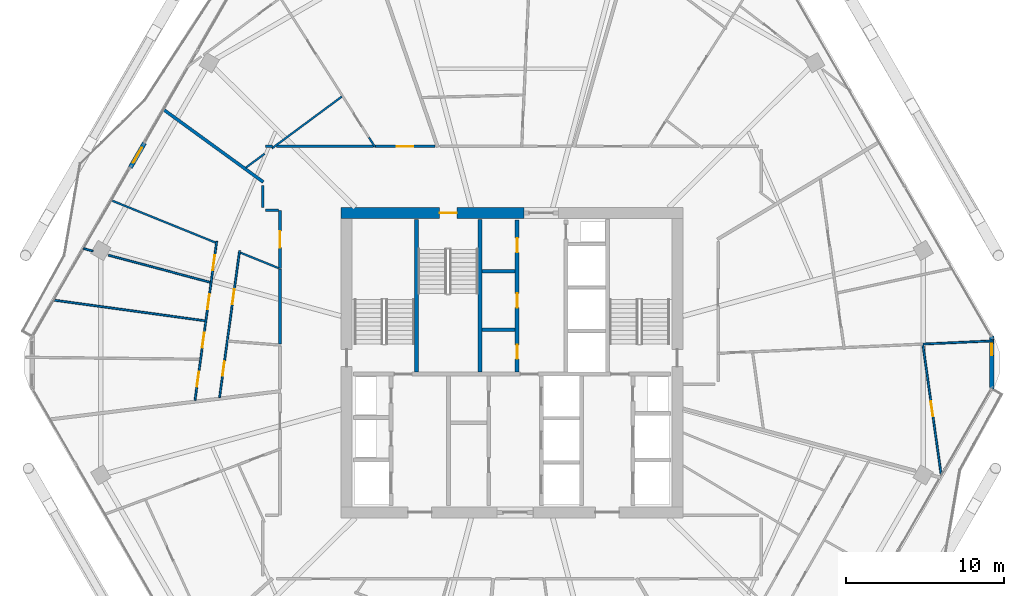
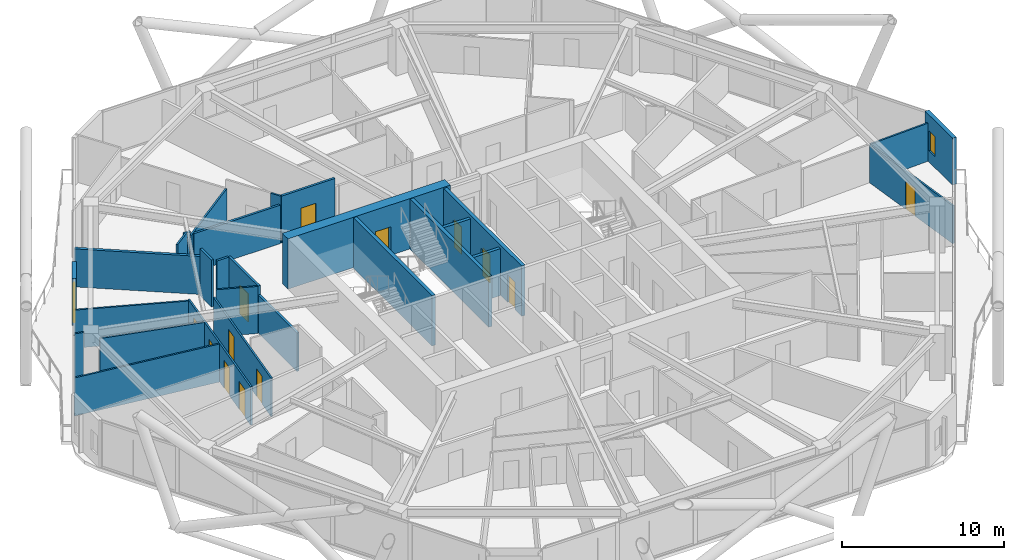
# One storey, part 23 of 28: 28 walls, 14 doors, 1 window, 15 openings.
"""IFC4 building model written with IfcOpenShell, lengths in metres."""

from ifc_helpers import new_model, si_unit, direction, frame, frame_2d, origin, place, context, subcontext, project, spatial, rectangle, extrude, material, layer, layer_set, type_object, element, fill, save


model = new_model("IFC4")

# Units and contexts
model_context = context("Model", 3, precision=1e-05, world=origin(), true_north=direction((0.0, 1.0)))
body_context = subcontext(model_context, "Body", "Model", "MODEL_VIEW")
ifc_project = project(units=[si_unit("LENGTHUNIT", "METRE"), si_unit("AREAUNIT", "SQUARE_METRE"), si_unit("VOLUMEUNIT", "CUBIC_METRE"), si_unit("PLANEANGLEUNIT", "RADIAN"), si_unit("MASSUNIT", "GRAM", prefix="KILO")], contexts=[model_context])

# Site, building, storey
site_placement = place(None, origin())
site = spatial("IfcSite", under=ifc_project, at=site_placement, CompositionType="ELEMENT")
building_placement = place(site_placement, origin())
building = spatial("IfcBuilding", under=site, at=building_placement, Name="Zuhravey Tower", CompositionType="ELEMENT")
storey_placement = place(building_placement, frame((0.0, 0.0, 199.800048828125)))
storey = spatial("IfcBuildingStorey", under=building, at=storey_placement, Name="L50", CompositionType="ELEMENT", Elevation=199.800048828125)

# Wall, opening, door
ifc_material_1 = material(Name="Concrete C60/75", Category="concrete")
ifc_layer_1 = layer(ifc_material_1, 0.699951171875)
ifc_layer_set_1 = layer_set([ifc_layer_1], Name="Concrete C60/75")
wall_type_1 = type_object("IfcWallType", Name="Core Shear Wall 700", PredefinedType="SHEAR", material=ifc_layer_set_1)
wall_1_placement = place(storey_placement, frame((36.75, 41.5, 0.0), z_axis=(0.0, 0.0, 1.0), x_axis=(-1.0, 0.0, 0.0)))
wall_1 = element("IfcWall", 1, at=wall_1_placement, inside=storey, type_object=wall_type_1, Name="L50 North-West Core Shear Wall CW70", PredefinedType="SHEAR", context=body_context, shape_type="SweptSolid", body=[
    extrude(rectangle(XDim=11.60009765625, YDim=0.699951171875, at=frame_2d((5.800048828125, 0.0))), origin(), (0.0, 0.0, 1.0), 3.800048828125),
])
opening_1_placement = place(wall_1_placement, frame((4.25, 0.0, 0.0)))
opening_1 = element("IfcOpeningElement", 2, at=opening_1_placement, cuts=wall_1, Name="Opening STD1", PredefinedType="OPENING", context=body_context, shape_type="SweptSolid", body=[
    extrude(rectangle(XDim=1.10009765625, YDim=2.14990234375, at=frame_2d((0.550048828125, 1.074951171875))), frame((0.0, 0.362060546875, 0.0), z_axis=(0.0, -1.0, 0.0), x_axis=(1.0, 0.0, 0.0)), (0.0, 0.0, 1.0), 0.723876953125),
])
ifc_material_2 = material(Name="Galvanised fire-rated steel leaf", Category="steel")
door_type_1 = type_object("IfcDoorType", Name="Protected Stair Fire Door 1100x2150", OperationType="NOTDEFINED", PredefinedType="USERDEFINED", material=ifc_material_2)
door_1_placement = place(opening_1_placement, origin())
door_1 = element("IfcDoor", 3, at=door_1_placement, inside=storey, type_object=door_type_1, Name="L50 Stair ST3 Door", ObjectType="EXITDOOR", OperationType="SINGLE_SWING_LEFT", OverallHeight=2.14990234375, OverallWidth=1.10009765625, PredefinedType="USERDEFINED", context=body_context, shape_type="SweptSolid", body=[
    extrude(rectangle(XDim=1.10009765625, YDim=2.14990234375, at=frame_2d((0.550048828125, 1.074951171875))), frame((0.0, 0.02490234375, 0.0), z_axis=(0.0, -1.0, 0.0), x_axis=(1.0, 0.0, 0.0)), (0.0, 0.0, 1.0), 0.050048828125),
])
fill(opening_1, door_1)

ifc_material_3 = material(Name="Gypsum fire-rated stud partition")
ifc_layer_2 = layer(ifc_material_3, 0.159912109375)
ifc_layer_set_2 = layer_set([ifc_layer_2], Name="Gypsum fire-rated stud partition")
wall_type_2 = type_object("IfcWallType", Name="Corridor Fire Partition 160", PredefinedType="PARTITIONING", material=ifc_layer_set_2)
wall_2_placement = place(storey_placement, frame((31.11669921875, 45.72998046875, 0.0), z_axis=(0.0, 0.0, 1.0), x_axis=(-1.0, 0.0, 0.0)))
wall_2 = element("IfcWall", 4, at=wall_2_placement, inside=storey, type_object=wall_type_2, Name="L50 IW16 Partition 032", PredefinedType="PARTITIONING", context=body_context, shape_type="SweptSolid", body=[
    extrude(rectangle(XDim=3.81298828125, YDim=0.159912109375, at=frame_2d((1.906494140625, 0.0))), origin(), (0.0, 0.0, 1.0), 3.550048828125),
])
opening_2_placement = place(wall_2_placement, frame((1.381591796875, 0.0, 0.0)))
opening_2 = element("IfcOpeningElement", 5, at=opening_2_placement, cuts=wall_2, Name="Opening APD1", PredefinedType="OPENING", context=body_context, shape_type="SweptSolid", body=[
    extrude(rectangle(XDim=1.050048828125, YDim=2.14990234375, at=frame_2d((0.52490234375, 1.074951171875))), frame((0.0, 0.092041015625, 0.0), z_axis=(0.0, -1.0, 0.0), x_axis=(1.0, 0.0, 0.0)), (0.0, 0.0, 1.0), 0.183837890625),
])
ifc_material_4 = material(Name="Solid-core oak fire-rated leaf")
door_type_2 = type_object("IfcDoorType", Name="Apartment Entrance Fire Door 1050x2150", OperationType="NOTDEFINED", PredefinedType="DOOR", material=ifc_material_4)
door_2_placement = place(opening_2_placement, frame((1.050048828125, 0.0, 0.0), z_axis=(0.0, 0.0, 1.0), x_axis=(-1.0, 0.0, 0.0)))
door_2 = element("IfcDoor", 6, at=door_2_placement, inside=storey, type_object=door_type_2, Name="L50 Door 032.1", OperationType="SINGLE_SWING_RIGHT", OverallHeight=2.14990234375, OverallWidth=1.050048828125, PredefinedType="DOOR", context=body_context, shape_type="SweptSolid", body=[
    extrude(rectangle(XDim=1.050048828125, YDim=2.14990234375, at=frame_2d((0.52490234375, 1.074951171875))), frame((0.0, 0.02490234375, 0.0), z_axis=(0.0, -1.0, 0.0), x_axis=(1.0, 0.0, 0.0)), (0.0, 0.0, 1.0), 0.050048828125),
])
fill(opening_2, door_2)

wall_3_placement = place(storey_placement, frame((21.27001953125, 41.669921875, 0.0), z_axis=(0.0, 0.0, 1.0), x_axis=(0.0, -1.0, 0.0)))
wall_3 = element("IfcWall", 7, at=wall_3_placement, inside=storey, type_object=wall_type_2, Name="L50 IW16 Partition 035", PredefinedType="PARTITIONING", context=body_context, shape_type="SweptSolid", body=[
    extrude(rectangle(XDim=3.67919921875, YDim=0.159912109375, at=frame_2d((1.839599609375, 0.0))), origin(), (0.0, 0.0, 1.0), 3.550048828125),
])
opening_3_placement = place(wall_3_placement, frame((1.314697265625, 0.0, 0.0)))
opening_3 = element("IfcOpeningElement", 8, at=opening_3_placement, cuts=wall_3, Name="Opening APD1", PredefinedType="OPENING", context=body_context, shape_type="SweptSolid", body=[
    extrude(rectangle(XDim=1.050048828125, YDim=2.14990234375, at=frame_2d((0.52490234375, 1.074951171875))), frame((0.0, 0.092041015625, 0.0), z_axis=(0.0, -1.0, 0.0), x_axis=(1.0, 0.0, 0.0)), (0.0, 0.0, 1.0), 0.183837890625),
])
door_3_placement = place(opening_3_placement, frame((1.050048828125, 0.0, 0.0), z_axis=(0.0, 0.0, 1.0), x_axis=(-1.0, 0.0, 0.0)))
door_3 = element("IfcDoor", 9, at=door_3_placement, inside=storey, type_object=door_type_2, Name="L50 Door 035.1", OperationType="SINGLE_SWING_LEFT", OverallHeight=2.14990234375, OverallWidth=1.050048828125, PredefinedType="DOOR", context=body_context, shape_type="SweptSolid", body=[
    extrude(rectangle(XDim=1.050048828125, YDim=2.14990234375, at=frame_2d((0.52490234375, 1.074951171875))), frame((0.0, 0.02490234375, 0.0), z_axis=(0.0, -1.0, 0.0), x_axis=(1.0, 0.0, 0.0)), (0.0, 0.0, 1.0), 0.050048828125),
])
fill(opening_3, door_3)

# Walls
wall_4_placement = place(storey_placement, frame((27.199462890625, 45.72998046875, 0.0), z_axis=(0.0, 0.0, 1.0), x_axis=(-1.0, 0.0, 0.0)))
element("IfcWall", 10, at=wall_4_placement, inside=storey, type_object=wall_type_2, Name="L50 IW16 Partition 123", PredefinedType="PARTITIONING", context=body_context, shape_type="SweptSolid", body=[
    extrude(rectangle(XDim=6.166748046875, YDim=0.159912109375, at=frame_2d((3.08349609375, 0.0))), origin(), (0.0, 0.0, 1.0), 2.89990234375),
])
wall_5_placement = place(storey_placement, frame((20.80419921875, 45.72998046875, 0.0), z_axis=(0.0, 0.0, 1.0), x_axis=(-1.0, 0.0, 0.0)))
element("IfcWall", 11, at=wall_5_placement, inside=storey, type_object=wall_type_2, Name="L50 IW16 Partition 124", PredefinedType="PARTITIONING", context=body_context, shape_type="SweptSolid", body=[
    extrude(rectangle(XDim=0.4541015625, YDim=0.159912109375, at=frame_2d((0.22705078125, 0.0))), origin(), (0.0, 0.0, 1.0), 3.14990234375),
])
wall_6_placement = place(storey_placement, frame((20.169921875, 43.266845703125, 0.0), z_axis=(0.0, 0.0, 1.0), x_axis=(0.0, -1.0, 0.0)))
element("IfcWall", 12, at=wall_6_placement, inside=storey, type_object=wall_type_2, Name="L50 IW16 Partition 125", PredefinedType="PARTITIONING", context=body_context, shape_type="SweptSolid", body=[
    extrude(rectangle(XDim=1.416259765625, YDim=0.159912109375, at=frame_2d((0.7080078125, 0.0))), origin(), (0.0, 0.0, 1.0), 3.550048828125),
])
wall_7_placement = place(storey_placement, frame((20.3505859375, 41.669921875, 0.0), z_axis=(0.0, 0.0, 1.0), x_axis=(1.0, 0.0, 0.0)))
element("IfcWall", 13, at=wall_7_placement, inside=storey, type_object=wall_type_2, Name="L50 IW16 Partition 126", PredefinedType="PARTITIONING", context=body_context, shape_type="SweptSolid", body=[
    extrude(rectangle(XDim=0.831298828125, YDim=0.159912109375, at=frame_2d((0.41552734375, 0.0))), origin(), (0.0, 0.0, 1.0), 3.550048828125),
])
wall_8_placement = place(storey_placement, frame((21.27001953125, 37.94775390625, 0.0), z_axis=(0.0, 0.0, 1.0), x_axis=(0.0, -1.0, 0.0)))
element("IfcWall", 14, at=wall_8_placement, inside=storey, type_object=wall_type_2, Name="L50 IW16 Partition 127", PredefinedType="PARTITIONING", context=body_context, shape_type="SweptSolid", body=[
    extrude(rectangle(XDim=4.75830078125, YDim=0.159912109375, at=frame_2d((2.379150390625, 0.0))), origin(), (0.0, 0.0, 1.0), 2.89990234375),
])

# Wall, opening, door
ifc_material_5 = material(Name="Precast concrete C40/50", Category="concrete")
ifc_layer_3 = layer(ifc_material_5, 0.280029296875)
ifc_layer_set_3 = layer_set([ifc_layer_3], Name="Precast concrete C40/50")
wall_type_3 = type_object("IfcWallType", Name="Crown Architectural Wall 280", PredefinedType="SOLIDWALL", material=ifc_layer_set_3)
wall_9_placement = place(storey_placement, frame((11.767822265625, 44.394775390625, 0.0), z_axis=(0.0, 0.0, 1.0), x_axis=(0.500041240653, 0.866001592173, 0.0)))
wall_9 = element("IfcWall", 15, at=wall_9_placement, inside=storey, type_object=wall_type_3, Name="L50 Face 3 Facade Pier EW28-1", PredefinedType="SOLIDWALL", context=body_context, shape_type="SweptSolid", body=[
    extrude(rectangle(XDim=1.789794921875, YDim=0.280029296875, at=frame_2d((0.89501953125, 0.0))), origin(), (0.0, 0.0, 1.0), 3.550048828125),
])
opening_4_placement = place(wall_9_placement, frame((0.344970703125, 0.0, 0.0)))
opening_4 = element("IfcOpeningElement", 16, at=opening_4_placement, cuts=wall_9, Name="Opening BLD1", PredefinedType="OPENING", context=body_context, shape_type="SweptSolid", body=[
    extrude(rectangle(XDim=1.10009765625, YDim=2.199951171875, at=frame_2d((0.550048828125, 1.10009765625))), frame((0.0, 0.152099609375, 0.0), z_axis=(0.0, -1.0, 0.0), x_axis=(1.0, 0.0, 0.0)), (0.0, 0.0, 1.0), 0.303955078125),
])
ifc_material_6 = material(Name="Thermally broken aluminium and low-E glass", Category="aluminium")
door_type_3 = type_object("IfcDoorType", Name="Balcony & Sky-Tray Glazed Door 1100x2200", OperationType="NOTDEFINED", PredefinedType="DOOR", material=ifc_material_6)
door_4_placement = place(opening_4_placement, frame((1.10009765625, 0.0, 0.0), z_axis=(0.0, 0.0, 1.0), x_axis=(-1.0, 0.0, 0.0)))
door_4 = element("IfcDoor", 17, at=door_4_placement, inside=storey, type_object=door_type_3, Name="L50 Face 3 Wave Balcony Door", OperationType="SINGLE_SWING_RIGHT", OverallHeight=2.199951171875, OverallWidth=1.10009765625, PredefinedType="DOOR", context=body_context, shape_type="SweptSolid", body=[
    extrude(rectangle(XDim=1.10009765625, YDim=2.199951171875, at=frame_2d((0.550048828125, 1.10009765625))), frame((0.0, 0.02490234375, 0.0), z_axis=(0.0, -1.0, 0.0), x_axis=(1.0, 0.0, 0.0)), (0.0, 0.0, 1.0), 0.050048828125),
])
fill(opening_4, door_4)

# Wall, opening, window
wall_10_placement = place(storey_placement, frame((66.4716796875, 33.6826171875, 0.0), z_axis=(0.0, 0.0, 1.0), x_axis=(0.0, -1.0, 0.0)))
wall_10 = element("IfcWall", 18, at=wall_10_placement, inside=storey, type_object=wall_type_3, Name="L50 Rounded Corner Closure Wall EW28-12", PredefinedType="SOLIDWALL", context=body_context, shape_type="SweptSolid", body=[
    extrude(rectangle(XDim=3.365234375, YDim=0.280029296875, at=frame_2d((1.6826171875, 0.0))), origin(), (0.0, 0.0, 1.0), 3.550048828125),
])
opening_5_placement = place(wall_10_placement, frame((0.473388671875, 0.0, 0.85009765625)))
opening_5 = element("IfcOpeningElement", 19, at=opening_5_placement, cuts=wall_10, Name="Opening WN5", PredefinedType="OPENING", context=body_context, shape_type="SweptSolid", body=[
    extrude(rectangle(XDim=0.75, YDim=1.5, at=frame_2d((0.375, 0.75))), frame((0.0, 0.152099609375, 0.0), z_axis=(0.0, -1.0, 0.0), x_axis=(1.0, 0.0, 0.0)), (0.0, 0.0, 1.0), 0.303955078125),
])
ifc_material_7 = material(Name="Thermally broken aluminium and triple low-E glass", Category="aluminium")
window_type = type_object("IfcWindowType", Name="Residential Corner Casement Window 750x1500", PartitioningType="SINGLE_PANEL", PredefinedType="WINDOW", material=ifc_material_7)
window_placement = place(opening_5_placement, origin())
window = element("IfcWindow", 20, at=window_placement, inside=storey, type_object=window_type, Name="L50 Corner Casement Window WN5-12.1", OverallHeight=1.5, OverallWidth=0.75, PartitioningType="SINGLE_PANEL", PredefinedType="WINDOW", context=body_context, shape_type="SweptSolid", body=[
    extrude(rectangle(XDim=0.75, YDim=1.5, at=frame_2d((0.375, 0.75))), frame((0.0, 0.030029296875, 0.0), z_axis=(0.0, -1.0, 0.0), x_axis=(1.0, 0.0, 0.0)), (0.0, 0.0, 1.0), 0.06005859375),
])
fill(opening_5, window)

# Walls
ifc_material_8 = material(Name="Concrete C50/60", Category="concrete")
ifc_layer_4 = layer(ifc_material_8, 0.25)
ifc_layer_set_4 = layer_set([ifc_layer_4], Name="Concrete C50/60")
wall_type_4 = type_object("IfcWallType", Name="Firefighting Shaft & Stair Wall 250", PredefinedType="SOLIDWALL", material=ifc_layer_set_4)
for number, where, z_axis, x_axis, name in (
    (21, (29.925048828125, 31.39990234375, 0.0), (0.0, 0.0, 1.0), (0.0, 1.0, 0.0), "L50 FW25 Shaft Wall 004"),
    (22, (33.97509765625, 31.39990234375, 0.0), (0.0, 0.0, 1.0), (0.0, 1.0, 0.0), "L50 FW25 Shaft Wall 005"),
):
    element("IfcWall", number, at=place(storey_placement, frame(where, z_axis=z_axis, x_axis=x_axis)), inside=storey, type_object=wall_type_4, Name=name, PredefinedType="SOLIDWALL", context=body_context, shape_type="SweptSolid", body=[
        extrude(rectangle(XDim=9.7001953125, YDim=0.25, at=frame_2d((4.85009765625, 0.0))), origin(), (0.0, 0.0, 1.0), 3.800048828125),
    ])

# Wall, openings, doors
wall_11_placement = place(storey_placement, frame((36.324951171875, 31.39990234375, 0.0), z_axis=(0.0, 0.0, 1.0), x_axis=(0.0, 1.0, 0.0)))
wall_11 = element("IfcWall", 23, at=wall_11_placement, inside=storey, type_object=wall_type_4, Name="L50 FW25 Shaft Wall 007", PredefinedType="SOLIDWALL", context=body_context, shape_type="SweptSolid", body=[
    extrude(rectangle(XDim=9.650146484375, YDim=0.25, at=frame_2d((4.8251953125, 0.0))), origin(), (0.0, 0.0, 1.0), 3.800048828125),
])
opening_6_placement = place(wall_11_placement, frame((0.840087890625, 0.0, 0.0)))
opening_6 = element("IfcOpeningElement", 24, at=opening_6_placement, cuts=wall_11, Name="Opening RSD1", PredefinedType="OPENING", context=body_context, shape_type="SweptSolid", body=[
    extrude(rectangle(XDim=0.89990234375, YDim=2.10009765625, at=frame_2d((0.449951171875, 1.050048828125))), frame((0.0, 0.136962890625, 0.0), z_axis=(0.0, -1.0, 0.0), x_axis=(1.0, 0.0, 0.0)), (0.0, 0.0, 1.0), 0.27392578125),
])
opening_7_placement = place(wall_11_placement, frame((4.10009765625, 0.0, 0.0)))
opening_7 = element("IfcOpeningElement", 25, at=opening_7_placement, cuts=wall_11, Name="Opening RSD1", PredefinedType="OPENING", context=body_context, shape_type="SweptSolid", body=[
    extrude(rectangle(XDim=0.89990234375, YDim=2.10009765625, at=frame_2d((0.449951171875, 1.050048828125))), frame((0.0, 0.136962890625, 0.0), z_axis=(0.0, -1.0, 0.0), x_axis=(1.0, 0.0, 0.0)), (0.0, 0.0, 1.0), 0.27392578125),
])
opening_8_placement = place(wall_11_placement, frame((7.610107421875, 0.0, 0.0)))
opening_8 = element("IfcOpeningElement", 26, at=opening_8_placement, cuts=wall_11, Name="Opening RSD1", PredefinedType="OPENING", context=body_context, shape_type="SweptSolid", body=[
    extrude(rectangle(XDim=0.89990234375, YDim=2.10009765625, at=frame_2d((0.449951171875, 1.050048828125))), frame((0.0, 0.136962890625, 0.0), z_axis=(0.0, -1.0, 0.0), x_axis=(1.0, 0.0, 0.0)), (0.0, 0.0, 1.0), 0.27392578125),
])
ifc_material_9 = material(Name="Galvanised fire-rated steel access leaf", Category="steel")
door_type_4 = type_object("IfcDoorType", Name="Riser & Shaft Access Fire Door 900x2100", OperationType="NOTDEFINED", PredefinedType="DOOR", material=ifc_material_9)
door_5_placement = place(opening_6_placement, origin())
door_5 = element("IfcDoor", 27, at=door_5_placement, inside=storey, type_object=door_type_4, Name="L50 Core Staff WC Door", OperationType="SINGLE_SWING_LEFT", OverallHeight=2.10009765625, OverallWidth=0.89990234375, PredefinedType="DOOR", context=body_context, shape_type="SweptSolid", body=[
    extrude(rectangle(XDim=0.89990234375, YDim=2.10009765625, at=frame_2d((0.449951171875, 1.050048828125))), frame((0.0, 0.02490234375, 0.0), z_axis=(0.0, -1.0, 0.0), x_axis=(1.0, 0.0, 0.0)), (0.0, 0.0, 1.0), 0.050048828125),
])
fill(opening_6, door_5)
door_6_placement = place(opening_7_placement, origin())
door_6 = element("IfcDoor", 28, at=door_6_placement, inside=storey, type_object=door_type_4, Name="L50 IT and Comms Room Door", OperationType="SINGLE_SWING_RIGHT", OverallHeight=2.10009765625, OverallWidth=0.89990234375, PredefinedType="DOOR", context=body_context, shape_type="SweptSolid", body=[
    extrude(rectangle(XDim=0.89990234375, YDim=2.10009765625, at=frame_2d((0.449951171875, 1.050048828125))), frame((0.0, 0.02490234375, 0.0), z_axis=(0.0, -1.0, 0.0), x_axis=(1.0, 0.0, 0.0)), (0.0, 0.0, 1.0), 0.050048828125),
])
fill(opening_7, door_6)
door_7_placement = place(opening_8_placement, origin())
door_7 = element("IfcDoor", 29, at=door_7_placement, inside=storey, type_object=door_type_4, Name="L50 Janitor Linen Store Door", OperationType="SINGLE_SWING_LEFT", OverallHeight=2.10009765625, OverallWidth=0.89990234375, PredefinedType="DOOR", context=body_context, shape_type="SweptSolid", body=[
    extrude(rectangle(XDim=0.89990234375, YDim=2.10009765625, at=frame_2d((0.449951171875, 1.050048828125))), frame((0.0, 0.02490234375, 0.0), z_axis=(0.0, -1.0, 0.0), x_axis=(1.0, 0.0, 0.0)), (0.0, 0.0, 1.0), 0.050048828125),
])
fill(opening_8, door_7)

# Walls
ifc_material_10 = material(Name="Gypsum double-stud party assembly")
ifc_layer_5 = layer(ifc_material_10, 0.199951171875)
ifc_layer_set_5 = layer_set([ifc_layer_5], Name="Gypsum double-stud party assembly")
wall_type_5 = type_object("IfcWallType", Name="Inter-Tenancy Party Wall 200", PredefinedType="PARTITIONING", material=ifc_layer_set_5)
wall_12_placement = place(storey_placement, frame((20.2099609375, 43.47216796875, 0.0), z_axis=(0.0, 0.0, 1.0), x_axis=(-0.809016970463, 0.587785285205, 0.0)))
element("IfcWall", 30, at=wall_12_placement, inside=storey, type_object=wall_type_5, Name="L50 IW20 Partition 082", PredefinedType="PARTITIONING", context=body_context, shape_type="SweptSolid", body=[
    extrude(rectangle(XDim=7.8154296875, YDim=0.199951171875, at=frame_2d((3.90771484375, 0.0))), origin(), (0.0, 0.0, 1.0), 2.869873046875),
])
ifc_material_11 = material(Name="Gypsum acoustic stud assembly")
ifc_layer_6 = layer(ifc_material_11, 0.219970703125)
ifc_layer_set_6 = layer_set([ifc_layer_6], Name="Gypsum acoustic stud assembly")
wall_type_6 = type_object("IfcWallType", Name="School Acoustic Compartment Wall 220", PredefinedType="PARTITIONING", material=ifc_layer_set_6)
for number, where, z_axis, x_axis, name in (
    (31, (34.10791015625, 34.10009765625, 0.0), (0.0, 0.0, 1.0), (1.0, 0.0, 0.0), "L50 IW22 Partition 057"),
    (32, (34.10791015625, 37.800048828125, 0.0), (0.0, 0.0, 1.0), (1.0, 0.0, 0.0), "L50 IW22 Partition 058"),
):
    element("IfcWall", number, at=place(storey_placement, frame(where, z_axis=z_axis, x_axis=x_axis)), inside=storey, type_object=wall_type_6, Name=name, PredefinedType="PARTITIONING", context=body_context, shape_type="SweptSolid", body=[
        extrude(rectangle(XDim=2.083984375, YDim=0.219970703125, at=frame_2d((1.0419921875, 0.0))), origin(), (0.0, 0.0, 1.0), 3.550048828125),
    ])

# Wall, openings, doors
ifc_material_12 = material(Name="Gypsum metal-stud partition")
ifc_layer_7 = layer(ifc_material_12, 0.1201171875)
ifc_layer_set_7 = layer_set([ifc_layer_7], Name="Gypsum metal-stud partition")
wall_type_7 = type_object("IfcWallType", Name="Unit Internal Partition 120", PredefinedType="PARTITIONING", material=ifc_layer_set_7)
wall_13_placement = place(storey_placement, frame((18.706298828125, 39.115966796875, 0.0), z_axis=(0.0, 0.0, 1.0), x_axis=(-0.13535494672, -0.990797173188, 0.0)))
wall_13 = element("IfcWall", 33, at=wall_13_placement, inside=storey, type_object=wall_type_7, Name="L50 IW12 Partition 033", PredefinedType="PARTITIONING", context=body_context, shape_type="SweptSolid", body=[
    extrude(rectangle(XDim=9.4189453125, YDim=0.1201171875, at=frame_2d((4.70947265625, 0.0))), origin(), (0.0, 0.0, 1.0), 2.89990234375),
])
opening_9_placement = place(wall_13_placement, frame((2.47314453125, 0.0, 0.0)))
opening_9 = element("IfcOpeningElement", 34, at=opening_9_placement, cuts=wall_13, Name="Opening IND1", PredefinedType="OPENING", context=body_context, shape_type="SweptSolid", body=[
    extrude(rectangle(XDim=0.949951171875, YDim=2.10009765625, at=frame_2d((0.47509765625, 1.050048828125))), frame((0.0, 0.072021484375, 0.0), z_axis=(0.0, -1.0, 0.0), x_axis=(1.0, 0.0, 0.0)), (0.0, 0.0, 1.0), 0.14404296875),
])
opening_10_placement = place(wall_13_placement, frame((7.1044921875, 0.0, 0.0)))
opening_10 = element("IfcOpeningElement", 35, at=opening_10_placement, cuts=wall_13, Name="Opening WCD1", PredefinedType="OPENING", context=body_context, shape_type="SweptSolid", body=[
    extrude(rectangle(XDim=0.89990234375, YDim=2.10009765625, at=frame_2d((0.449951171875, 1.050048828125))), frame((0.0, 0.072021484375, 0.0), z_axis=(0.0, -1.0, 0.0), x_axis=(1.0, 0.0, 0.0)), (0.0, 0.0, 1.0), 0.14404296875),
])
ifc_material_13 = material(Name="Moisture-resistant timber leaf", Category="wood")
door_type_5 = type_object("IfcDoorType", Name="Bathroom & WC Internal Door 900x2100", OperationType="NOTDEFINED", PredefinedType="DOOR", material=ifc_material_13)
door_8_placement = place(opening_10_placement, origin())
door_8 = element("IfcDoor", 36, at=door_8_placement, inside=storey, type_object=door_type_5, Name="Apartment L50-04 Bathroom Door", OperationType="SINGLE_SWING_RIGHT", OverallHeight=2.10009765625, OverallWidth=0.89990234375, PredefinedType="DOOR", context=body_context, shape_type="SweptSolid", body=[
    extrude(rectangle(XDim=0.89990234375, YDim=2.10009765625, at=frame_2d((0.449951171875, 1.050048828125))), frame((0.0, 0.02490234375, 0.0), z_axis=(0.0, -1.0, 0.0), x_axis=(1.0, 0.0, 0.0)), (0.0, 0.0, 1.0), 0.050048828125),
])
fill(opening_10, door_8)
ifc_material_14 = material(Name="Painted engineered timber leaf", Category="wood")
door_type_6 = type_object("IfcDoorType", Name="Internal Room & Bedroom Door 950x2100", OperationType="NOTDEFINED", PredefinedType="DOOR", material=ifc_material_14)
door_9_placement = place(opening_9_placement, origin())
door_9 = element("IfcDoor", 37, at=door_9_placement, inside=storey, type_object=door_type_6, Name="Apartment L50-04 Kitchen Door", OperationType="SINGLE_SWING_LEFT", OverallHeight=2.10009765625, OverallWidth=0.949951171875, PredefinedType="DOOR", context=body_context, shape_type="SweptSolid", body=[
    extrude(rectangle(XDim=0.949951171875, YDim=2.10009765625, at=frame_2d((0.47509765625, 1.050048828125))), frame((0.0, 0.02490234375, 0.0), z_axis=(0.0, -1.0, 0.0), x_axis=(1.0, 0.0, 0.0)), (0.0, 0.0, 1.0), 0.050048828125),
])
fill(opening_9, door_9)

wall_14_placement = place(storey_placement, frame((17.252685546875, 39.705078125, 0.0), z_axis=(0.0, 0.0, 1.0), x_axis=(-0.135355835597, -0.990797051757, 0.0)))
wall_14 = element("IfcWall", 38, at=wall_14_placement, inside=storey, type_object=wall_type_7, Name="L50 IW12 Partition 034", PredefinedType="PARTITIONING", context=body_context, shape_type="SweptSolid", body=[
    extrude(rectangle(XDim=10.192626953125, YDim=0.1201171875, at=frame_2d((5.09619140625, 0.0))), origin(), (0.0, 0.0, 1.0), 2.89990234375),
])
opening_11_placement = place(wall_14_placement, frame((0.894287109375, 0.0, 0.0)))
opening_11 = element("IfcOpeningElement", 39, at=opening_11_placement, cuts=wall_14, Name="Opening IND1", PredefinedType="OPENING", context=body_context, shape_type="SweptSolid", body=[
    extrude(rectangle(XDim=0.949951171875, YDim=2.10009765625, at=frame_2d((0.47509765625, 1.050048828125))), frame((0.0, 0.072021484375, 0.0), z_axis=(0.0, -1.0, 0.0), x_axis=(1.0, 0.0, 0.0)), (0.0, 0.0, 1.0), 0.14404296875),
])
opening_12_placement = place(wall_14_placement, frame((3.392333984375, 0.0, 0.0)))
opening_12 = element("IfcOpeningElement", 40, at=opening_12_placement, cuts=wall_14, Name="Opening IND1", PredefinedType="OPENING", context=body_context, shape_type="SweptSolid", body=[
    extrude(rectangle(XDim=0.949951171875, YDim=2.10009765625, at=frame_2d((0.47509765625, 1.050048828125))), frame((0.0, 0.072021484375, 0.0), z_axis=(0.0, -1.0, 0.0), x_axis=(1.0, 0.0, 0.0)), (0.0, 0.0, 1.0), 0.14404296875),
])
opening_13_placement = place(wall_14_placement, frame((5.8505859375, 0.0, 0.0)))
opening_13 = element("IfcOpeningElement", 41, at=opening_13_placement, cuts=wall_14, Name="Opening IND1", PredefinedType="OPENING", context=body_context, shape_type="SweptSolid", body=[
    extrude(rectangle(XDim=0.949951171875, YDim=2.10009765625, at=frame_2d((0.47509765625, 1.050048828125))), frame((0.0, 0.072021484375, 0.0), z_axis=(0.0, -1.0, 0.0), x_axis=(1.0, 0.0, 0.0)), (0.0, 0.0, 1.0), 0.14404296875),
])
opening_14_placement = place(wall_14_placement, frame((8.348388671875, 0.0, 0.0)))
opening_14 = element("IfcOpeningElement", 42, at=opening_14_placement, cuts=wall_14, Name="Opening IND1", PredefinedType="OPENING", context=body_context, shape_type="SweptSolid", body=[
    extrude(rectangle(XDim=0.949951171875, YDim=2.10009765625, at=frame_2d((0.47509765625, 1.050048828125))), frame((0.0, 0.072021484375, 0.0), z_axis=(0.0, -1.0, 0.0), x_axis=(1.0, 0.0, 0.0)), (0.0, 0.0, 1.0), 0.14404296875),
])
door_10_placement = place(opening_11_placement, frame((0.949951171875, 0.0, 0.0), z_axis=(0.0, 0.0, 1.0), x_axis=(-1.0, 0.0, 0.0)))
door_10 = element("IfcDoor", 43, at=door_10_placement, inside=storey, type_object=door_type_6, Name="Apartment L50-04 Bedroom 1 Door", OperationType="SINGLE_SWING_LEFT", OverallHeight=2.10009765625, OverallWidth=0.949951171875, PredefinedType="DOOR", context=body_context, shape_type="SweptSolid", body=[
    extrude(rectangle(XDim=0.949951171875, YDim=2.10009765625, at=frame_2d((0.47509765625, 1.050048828125))), frame((0.0, 0.02490234375, 0.0), z_axis=(0.0, -1.0, 0.0), x_axis=(1.0, 0.0, 0.0)), (0.0, 0.0, 1.0), 0.050048828125),
])
fill(opening_11, door_10)
door_11_placement = place(opening_12_placement, frame((0.949951171875, 0.0, 0.0), z_axis=(0.0, 0.0, 1.0), x_axis=(-1.0, 0.0, 0.0)))
door_11 = element("IfcDoor", 44, at=door_11_placement, inside=storey, type_object=door_type_6, Name="Apartment L50-04 Bedroom 2 Door", OperationType="SINGLE_SWING_RIGHT", OverallHeight=2.10009765625, OverallWidth=0.949951171875, PredefinedType="DOOR", context=body_context, shape_type="SweptSolid", body=[
    extrude(rectangle(XDim=0.949951171875, YDim=2.10009765625, at=frame_2d((0.47509765625, 1.050048828125))), frame((0.0, 0.02490234375, 0.0), z_axis=(0.0, -1.0, 0.0), x_axis=(1.0, 0.0, 0.0)), (0.0, 0.0, 1.0), 0.050048828125),
])
fill(opening_12, door_11)
door_12_placement = place(opening_13_placement, frame((0.949951171875, 0.0, 0.0), z_axis=(0.0, 0.0, 1.0), x_axis=(-1.0, 0.0, 0.0)))
door_12 = element("IfcDoor", 45, at=door_12_placement, inside=storey, type_object=door_type_6, Name="Apartment L50-04 Bedroom 3 Door", OperationType="SINGLE_SWING_LEFT", OverallHeight=2.10009765625, OverallWidth=0.949951171875, PredefinedType="DOOR", context=body_context, shape_type="SweptSolid", body=[
    extrude(rectangle(XDim=0.949951171875, YDim=2.10009765625, at=frame_2d((0.47509765625, 1.050048828125))), frame((0.0, 0.02490234375, 0.0), z_axis=(0.0, -1.0, 0.0), x_axis=(1.0, 0.0, 0.0)), (0.0, 0.0, 1.0), 0.050048828125),
])
fill(opening_13, door_12)
door_13_placement = place(opening_14_placement, frame((0.949951171875, 0.0, 0.0), z_axis=(0.0, 0.0, 1.0), x_axis=(-1.0, 0.0, 0.0)))
door_13 = element("IfcDoor", 46, at=door_13_placement, inside=storey, type_object=door_type_6, Name="Apartment L50-04 Bedroom 4 Door", OperationType="SINGLE_SWING_RIGHT", OverallHeight=2.10009765625, OverallWidth=0.949951171875, PredefinedType="DOOR", context=body_context, shape_type="SweptSolid", body=[
    extrude(rectangle(XDim=0.949951171875, YDim=2.10009765625, at=frame_2d((0.47509765625, 1.050048828125))), frame((0.0, 0.02490234375, 0.0), z_axis=(0.0, -1.0, 0.0), x_axis=(1.0, 0.0, 0.0)), (0.0, 0.0, 1.0), 0.050048828125),
])
fill(opening_14, door_13)

# Wall, opening, door
wall_15_placement = place(storey_placement, frame((63.25390625, 24.848388671875, 0.0), z_axis=(0.0, 0.0, 1.0), x_axis=(-0.139181804835, 0.990266845453, 0.0)))
wall_15 = element("IfcWall", 47, at=wall_15_placement, inside=storey, type_object=wall_type_7, Name="L50 IW12 Partition 055", PredefinedType="PARTITIONING", context=body_context, shape_type="SweptSolid", body=[
    extrude(rectangle(XDim=8.349609375, YDim=0.1201171875, at=frame_2d((4.1748046875, 0.0))), origin(), (0.0, 0.0, 1.0), 2.869873046875),
])
opening_15_placement = place(wall_15_placement, frame((3.7841796875, 0.0, 0.0)))
opening_15 = element("IfcOpeningElement", 48, at=opening_15_placement, cuts=wall_15, Name="Opening IND1", PredefinedType="OPENING", context=body_context, shape_type="SweptSolid", body=[
    extrude(rectangle(XDim=0.949951171875, YDim=2.10009765625, at=frame_2d((0.47509765625, 1.050048828125))), frame((0.0, 0.072021484375, 0.0), z_axis=(0.0, -1.0, 0.0), x_axis=(1.0, 0.0, 0.0)), (0.0, 0.0, 1.0), 0.14404296875),
])
door_14_placement = place(opening_15_placement, frame((0.949951171875, 0.0, 0.0), z_axis=(0.0, 0.0, 1.0), x_axis=(-1.0, 0.0, 0.0)))
door_14 = element("IfcDoor", 49, at=door_14_placement, inside=storey, type_object=door_type_6, Name="Apartment L50-09 Bedroom 1 Door", OperationType="SINGLE_SWING_RIGHT", OverallHeight=2.10009765625, OverallWidth=0.949951171875, PredefinedType="DOOR", context=body_context, shape_type="SweptSolid", body=[
    extrude(rectangle(XDim=0.949951171875, YDim=2.10009765625, at=frame_2d((0.47509765625, 1.050048828125))), frame((0.0, 0.02490234375, 0.0), z_axis=(0.0, -1.0, 0.0), x_axis=(1.0, 0.0, 0.0)), (0.0, 0.0, 1.0), 0.050048828125),
])
fill(opening_15, door_14)

# Walls
wall_16_placement = place(storey_placement, frame((27.3037109375, 45.692626953125, 0.0), z_axis=(0.0, 0.0, 1.0), x_axis=(-0.536084900609, 0.844164071339, 0.0)))
element("IfcWall", 50, at=wall_16_placement, inside=storey, type_object=wall_type_7, Name="L50 IW12 Partition 077", PredefinedType="PARTITIONING", context=body_context, shape_type="SweptSolid", body=[
    extrude(rectangle(XDim=0.719482421875, YDim=0.1201171875, at=frame_2d((0.35986328125, 0.0))), origin(), (0.0, 0.0, 1.0), 3.550048828125),
])
wall_17_placement = place(storey_placement, frame((25.19140625, 48.8916015625, 0.0), z_axis=(0.0, 0.0, 1.0), x_axis=(-0.803880830958, -0.59479039133, 0.0)))
element("IfcWall", 51, at=wall_17_placement, inside=storey, type_object=wall_type_7, Name="L50 IW12 Partition 079", PredefinedType="PARTITIONING", context=body_context, shape_type="SweptSolid", body=[
    extrude(rectangle(XDim=5.51708984375, YDim=0.1201171875, at=frame_2d((2.758544921875, 0.0))), origin(), (0.0, 0.0, 1.0), 2.89990234375),
])
wall_18_placement = place(storey_placement, frame((20.2900390625, 45.264892578125, 0.0), z_axis=(0.0, 0.0, 1.0), x_axis=(-0.803933190683, -0.594719618743, 0.0)))
element("IfcWall", 52, at=wall_18_placement, inside=storey, type_object=wall_type_7, Name="L50 IW12 Partition 080", PredefinedType="PARTITIONING", context=body_context, shape_type="SweptSolid", body=[
    extrude(rectangle(XDim=1.483154296875, YDim=0.1201171875, at=frame_2d((0.74169921875, 0.0))), origin(), (0.0, 0.0, 1.0), 3.550048828125),
])
wall_19_placement = place(storey_placement, frame((16.829345703125, 37.108154296875, 0.0), z_axis=(0.0, 0.0, 1.0), x_axis=(-0.966282940461, 0.257482579943, 0.0)))
element("IfcWall", 53, at=wall_19_placement, inside=storey, type_object=wall_type_7, Name="L50 IW12 Partition 084", PredefinedType="PARTITIONING", context=body_context, shape_type="SweptSolid", body=[
    extrude(rectangle(XDim=6.666748046875, YDim=0.1201171875, at=frame_2d((3.33349609375, 0.0))), origin(), (0.0, 0.0, 1.0), 2.89990234375),
])
wall_20_placement = place(storey_placement, frame((9.3974609375, 39.08837890625, 0.0), z_axis=(0.0, 0.0, 1.0), x_axis=(-0.966254166423, 0.25759053917, 0.0)))
element("IfcWall", 54, at=wall_20_placement, inside=storey, type_object=wall_type_7, Name="L50 IW12 Partition 085", PredefinedType="PARTITIONING", context=body_context, shape_type="SweptSolid", body=[
    extrude(rectangle(XDim=0.632080078125, YDim=0.1201171875, at=frame_2d((0.31591796875, 0.0))), origin(), (0.0, 0.0, 1.0), 3.550048828125),
])
wall_21_placement = place(storey_placement, frame((16.49560546875, 34.664794921875, 0.0), z_axis=(0.0, 0.0, 1.0), x_axis=(-0.990795788698, 0.135365080796, 0.0)))
element("IfcWall", 55, at=wall_21_placement, inside=storey, type_object=wall_type_7, Name="L50 IW12 Partition 086", PredefinedType="PARTITIONING", context=body_context, shape_type="SweptSolid", body=[
    extrude(rectangle(XDim=9.688720703125, YDim=0.1201171875, at=frame_2d((4.84423828125, 0.0))), origin(), (0.0, 0.0, 1.0), 2.869873046875),
])
wall_22_placement = place(storey_placement, frame((21.181884765625, 38.0048828125, 0.0), z_axis=(0.0, 0.0, 1.0), x_axis=(-0.926761223062, 0.375650948925, 0.0)))
element("IfcWall", 56, at=wall_22_placement, inside=storey, type_object=wall_type_7, Name="L50 IW12 Partition 088", PredefinedType="PARTITIONING", context=body_context, shape_type="SweptSolid", body=[
    extrude(rectangle(XDim=2.615966796875, YDim=0.1201171875, at=frame_2d((1.30810546875, 0.0))), origin(), (0.0, 0.0, 1.0), 3.550048828125),
])
wall_23_placement = place(storey_placement, frame((17.173828125, 39.62939453125, 0.0), z_axis=(0.0, 0.0, 1.0), x_axis=(-0.926798437472, 0.375559124906, 0.0)))
element("IfcWall", 57, at=wall_23_placement, inside=storey, type_object=wall_type_7, Name="L50 IW12 Partition 089", PredefinedType="PARTITIONING", context=body_context, shape_type="SweptSolid", body=[
    extrude(rectangle(XDim=7.14306640625, YDim=0.1201171875, at=frame_2d((3.571533203125, 0.0))), origin(), (0.0, 0.0, 1.0), 2.869873046875),
])
wall_24_placement = place(storey_placement, frame((62.107421875, 33.185546875, 0.0), z_axis=(0.0, 0.0, 1.0), x_axis=(0.998971026313, 0.045352933617, 0.0)))
element("IfcWall", 58, at=wall_24_placement, inside=storey, type_object=wall_type_7, Name="L50 IW12 Partition 117", PredefinedType="PARTITIONING", context=body_context, shape_type="SweptSolid", body=[
    extrude(rectangle(XDim=4.451904296875, YDim=0.1201171875, at=frame_2d((2.22607421875, 0.0))), origin(), (0.0, 0.0, 1.0), 2.869873046875),
])

save(model, "model.ifc")
